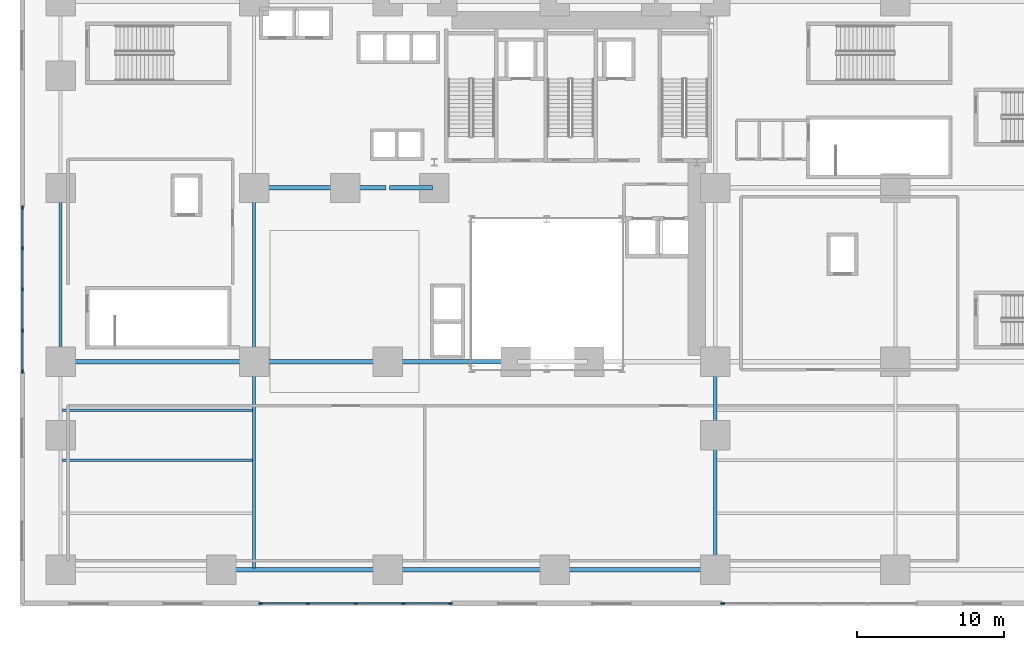
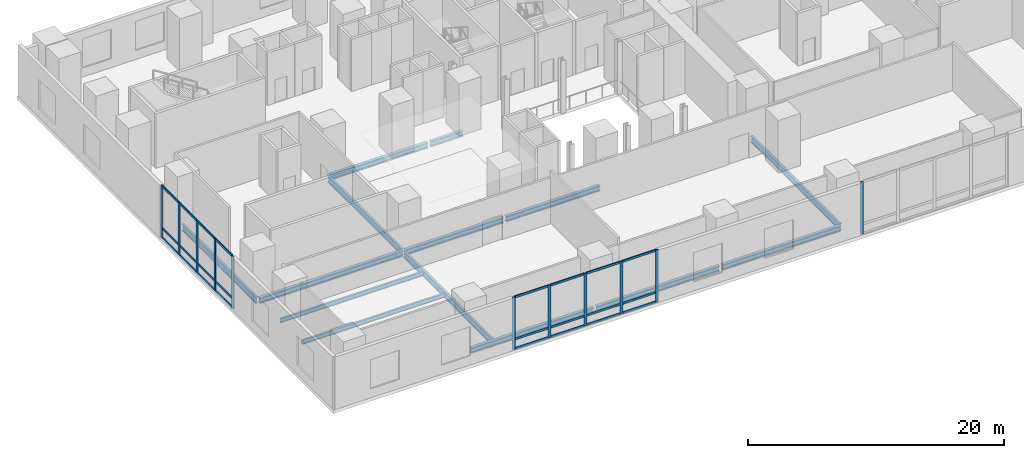
# One storey, part 3 of 15: 35 members, 14 beams, 3 elements without a shape of their own.
"""IFC4 building model written with IfcOpenShell, lengths in metres."""

from ifc_helpers import new_model, si_unit, direction, frame, origin, origin_2d, place, context, subcontext, project, spatial, rectangle, i_section, extrude, source, transform, mapped, material, material_profile, profile_set, type_object, element, aggregate, save


model = new_model("IFC4")

# Units and contexts
model_context = context("Model", 3, precision=1e-05, world=origin(), true_north=direction((0.0, 1.0)))
body_context = subcontext(model_context, "Body", "Model", "MODEL_VIEW")
ifc_project = project(units=[si_unit("LENGTHUNIT", "METRE"), si_unit("AREAUNIT", "SQUARE_METRE"), si_unit("VOLUMEUNIT", "CUBIC_METRE"), si_unit("PLANEANGLEUNIT", "RADIAN"), si_unit("MASSUNIT", "GRAM", prefix="KILO")], contexts=[model_context])

# Site, building, storey
site_placement = place(None, origin())
site = spatial("IfcSite", under=ifc_project, at=site_placement, CompositionType="ELEMENT")
building_placement = place(site_placement, origin())
building = spatial("IfcBuilding", under=site, at=building_placement, Name="Vardaveli Station Tower", CompositionType="ELEMENT")
storey_placement = place(building_placement, frame((0.0, 0.0, 6.0)))
storey = spatial("IfcBuildingStorey", under=building, at=storey_placement, Name="L02", CompositionType="ELEMENT", Elevation=6.0)

# Beams
ifc_material_1 = material(Name="Structural steel S355J2", Category="steel")
ifc_material_profile_1 = material_profile(ifc_material_1, i_section(OverallWidth=0.305908203125, OverallDepth=0.52392578125, WebThickness=0.02099609375, FlangeThickness=0.0400390625, FilletRadius=0.027099609375, at=origin_2d()), Name="HEM 500")
ifc_profile_set_1 = profile_set([ifc_material_profile_1], Name="Structural steel S355J2")
beam_type_1 = type_object("IfcBeamType", Name="BM-HEM500", PredefinedType="BEAM", material=ifc_profile_set_1)
shared_shape_1 = source(origin(), body_context, "Body", "SweptSolid", [
    extrude(i_section(OverallWidth=0.305908203125, OverallDepth=0.52392578125, WebThickness=0.02099609375, FlangeThickness=0.0400390625, FilletRadius=0.027099609375, at=origin_2d()), origin(), (0.0, 0.0, 1.0), 10.669921875),
])
beam_1_placement = place(storey_placement, frame((36.9599609375, 2.949951171875, -0.58203125), z_axis=(1.0, 0.0, 0.0), x_axis=(0.0, 1.0, 0.0)))
element("IfcBeam", 1, at=beam_1_placement, inside=storey, type_object=beam_type_1, Name="PBM-L02-EW0-3", PredefinedType="BEAM", context=body_context, shape_type="MappedRepresentation", body=[
    mapped(shared_shape_1, transform((0.0, 0.0, 0.0), scale=1.0)),
])
shared_shape_2 = source(origin(), body_context, "Body", "SweptSolid", [
    extrude(i_section(OverallWidth=0.305908203125, OverallDepth=0.52392578125, WebThickness=0.02099609375, FlangeThickness=0.0400390625, FilletRadius=0.027099609375, at=origin_2d()), origin(), (0.0, 0.0, 1.0), 11.099853515625),
])
for number, where, z_axis, x_axis, name in (
    (2, (14.280029296875, 2.949951171875, -0.58203125), (1.0, 0.0, 0.0), (0.0, 1.0, 0.0), "PBM-L02-EW0-1"),
    (3, (25.6201171875, 2.949951171875, -0.58203125), (1.0, 0.0, 0.0), (0.0, 1.0, 0.0), "PBM-L02-EW0-2"),
):
    element("IfcBeam", number, at=place(storey_placement, frame(where, z_axis=z_axis, x_axis=x_axis)), inside=storey, type_object=beam_type_1, Name=name, PredefinedType="BEAM", context=body_context, shape_type="MappedRepresentation", body=[
        mapped(shared_shape_2, transform((0.0, 0.0, 0.0), scale=1.0)),
    ])
shared_shape_3 = source(origin(), body_context, "Body", "SweptSolid", [
    extrude(i_section(OverallWidth=0.305908203125, OverallDepth=0.52392578125, WebThickness=0.02099609375, FlangeThickness=0.0400390625, FilletRadius=0.027099609375, at=origin_2d()), origin(), (0.0, 0.0, 1.0), 12.909912109375),
])
beam_2_placement = place(storey_placement, frame((3.3701171875, 17.10009765625, -0.58203125), z_axis=(1.0, 0.0, 0.0), x_axis=(0.0, 1.0, 0.0)))
element("IfcBeam", 4, at=beam_2_placement, inside=storey, type_object=beam_type_1, Name="PBM-L02-EW1-0", PredefinedType="BEAM", context=body_context, shape_type="MappedRepresentation", body=[
    mapped(shared_shape_3, transform((0.0, 0.0, 0.0), scale=1.0)),
])
shared_shape_4 = source(origin(), body_context, "Body", "SweptSolid", [
    extrude(i_section(OverallWidth=0.305908203125, OverallDepth=0.52392578125, WebThickness=0.02099609375, FlangeThickness=0.0400390625, FilletRadius=0.027099609375, at=origin_2d()), origin(), (0.0, 0.0, 1.0), 8.85986328125),
])
for number, where, z_axis, x_axis, name in (
    (5, (16.52001953125, 17.10009765625, -0.58203125), (1.0, 0.0, 0.0), (0.0, 1.0, 0.0), "PBM-L02-EW1-1"),
    (6, (16.52001953125, 28.89990234375, -0.58203125), (1.0, 0.0, 0.0), (0.0, 1.0, 0.0), "PBM-L02-EW2-1"),
):
    element("IfcBeam", number, at=place(storey_placement, frame(where, z_axis=z_axis, x_axis=x_axis)), inside=storey, type_object=beam_type_1, Name=name, PredefinedType="BEAM", context=body_context, shape_type="MappedRepresentation", body=[
        mapped(shared_shape_4, transform((0.0, 0.0, 0.0), scale=1.0)),
    ])
shared_shape_5 = source(origin(), body_context, "Body", "SweptSolid", [
    extrude(i_section(OverallWidth=0.305908203125, OverallDepth=0.52392578125, WebThickness=0.02099609375, FlangeThickness=0.0400390625, FilletRadius=0.027099609375, at=origin_2d()), origin(), (0.0, 0.0, 1.0), 8.4599609375),
])
beam_3_placement = place(storey_placement, frame((25.6201171875, 17.10009765625, -0.58203125), z_axis=(1.0, 0.0, 0.0), x_axis=(0.0, 1.0, 0.0)))
element("IfcBeam", 7, at=beam_3_placement, inside=storey, type_object=beam_type_1, Name="PBM-L02-EW1-2", PredefinedType="BEAM", context=body_context, shape_type="MappedRepresentation", body=[
    mapped(shared_shape_5, transform((0.0, 0.0, 0.0), scale=1.0)),
])
shared_shape_6 = source(origin(), body_context, "Body", "SweptSolid", [
    extrude(i_section(OverallWidth=0.305908203125, OverallDepth=0.52392578125, WebThickness=0.02099609375, FlangeThickness=0.0400390625, FilletRadius=0.027099609375, at=origin_2d()), origin(), (0.0, 0.0, 1.0), 2.909912109375),
])
beam_4_placement = place(storey_placement, frame((25.6201171875, 28.89990234375, -0.58203125), z_axis=(1.0, 0.0, 0.0), x_axis=(0.0, 1.0, 0.0)))
element("IfcBeam", 8, at=beam_4_placement, inside=storey, type_object=beam_type_1, Name="PBM-L02-EW2-2", PredefinedType="BEAM", context=body_context, shape_type="MappedRepresentation", body=[
    mapped(shared_shape_6, transform((0.0, 0.0, 0.0), scale=1.0)),
])
ifc_material_profile_2 = material_profile(ifc_material_1, i_section(OverallWidth=0.219970703125, OverallDepth=0.60009765625, WebThickness=0.011962890625, FlangeThickness=0.01904296875, FilletRadius=0.02392578125, at=origin_2d()), Name="IPE 600")
ifc_profile_set_2 = profile_set([ifc_material_profile_2], Name="Structural steel S355J2")
beam_type_2 = type_object("IfcBeamType", Name="BM-IPE600", PredefinedType="BEAM", material=ifc_profile_set_2)
shared_shape_7 = source(origin(), body_context, "Body", "SweptSolid", [
    extrude(i_section(OverallWidth=0.219970703125, OverallDepth=0.60009765625, WebThickness=0.011962890625, FlangeThickness=0.01904296875, FilletRadius=0.02392578125, at=origin_2d()), origin(), (0.0, 0.0, 1.0), 13.909912109375),
])
for number, where, z_axis, x_axis, name in (
    (9, (16.39990234375, 3.070068359375, -0.6201171875), (0.0, 1.0, 0.0), (-1.0, 0.0, 0.0), "PBM-L02-NS1-0"),
    (10, (47.75, 3.070068359375, -0.6201171875), (0.0, 1.0, 0.0), (-1.0, 0.0, 0.0), "PBM-L02-NS2-0"),
):
    element("IfcBeam", number, at=place(storey_placement, frame(where, z_axis=z_axis, x_axis=x_axis)), inside=storey, type_object=beam_type_2, Name=name, PredefinedType="BEAM", context=body_context, shape_type="MappedRepresentation", body=[
        mapped(shared_shape_7, transform((0.0, 0.0, 0.0), scale=1.0)),
    ])
shared_shape_8 = source(origin(), body_context, "Body", "SweptSolid", [
    extrude(i_section(OverallWidth=0.219970703125, OverallDepth=0.60009765625, WebThickness=0.011962890625, FlangeThickness=0.01904296875, FilletRadius=0.02392578125, at=origin_2d()), origin(), (0.0, 0.0, 1.0), 11.56005859375),
])
for number, where, z_axis, x_axis, name in (
    (11, (3.25, 17.219970703125, -0.6201171875), (0.0, 1.0, 0.0), (-1.0, 0.0, 0.0), "PBM-L02-NS0-1"),
    (12, (16.39990234375, 17.219970703125, -0.6201171875), (0.0, 1.0, 0.0), (-1.0, 0.0, 0.0), "PBM-L02-NS1-1"),
):
    element("IfcBeam", number, at=place(storey_placement, frame(where, z_axis=z_axis, x_axis=x_axis)), inside=storey, type_object=beam_type_2, Name=name, PredefinedType="BEAM", context=body_context, shape_type="MappedRepresentation", body=[
        mapped(shared_shape_8, transform((0.0, 0.0, 0.0), scale=1.0)),
    ])
ifc_material_profile_3 = material_profile(ifc_material_1, i_section(OverallWidth=0.179931640625, OverallDepth=0.39990234375, WebThickness=0.008544921875, FlangeThickness=0.013427734375, FilletRadius=0.02099609375, at=origin_2d()), Name="IPE 400")
ifc_profile_set_3 = profile_set([ifc_material_profile_3], Name="Structural steel S355J2")
beam_type_3 = type_object("IfcBeamType", Name="BM-IPE400", PredefinedType="JOIST", material=ifc_profile_set_3)
shared_shape_9 = source(origin(), body_context, "Body", "SweptSolid", [
    extrude(i_section(OverallWidth=0.179931640625, OverallDepth=0.39990234375, WebThickness=0.008544921875, FlangeThickness=0.013427734375, FilletRadius=0.02099609375, at=origin_2d()), origin(), (0.0, 0.0, 1.0), 12.926025390625),
])
for number, where, z_axis, x_axis, name in (
    (13, (3.362060546875, 10.39990234375, -0.52001953125), (1.0, 0.0, 0.0), (0.0, 1.0, 0.0), "PJ-L02-2-0"),
    (14, (3.362060546875, 13.800048828125, -0.52001953125), (1.0, 0.0, 0.0), (0.0, 1.0, 0.0), "PJ-L02-3-0"),
):
    element("IfcBeam", number, at=place(storey_placement, frame(where, z_axis=z_axis, x_axis=x_axis)), inside=storey, type_object=beam_type_3, Name=name, PredefinedType="JOIST", context=body_context, shape_type="MappedRepresentation", body=[
        mapped(shared_shape_9, transform((0.0, 0.0, 0.0), scale=1.0)),
    ])

# Curtain wall, members
ifc_material_2 = material(Name="Travertine stone and solar-control glass", Category="masonry")
curtain_wall_type = type_object("IfcCurtainWallType", Name="CW-SYS-1", PredefinedType="NOTDEFINED", material=ifc_material_2)
curtain_wall_1_placement = place(storey_placement, origin())
curtain_wall_1 = element("IfcCurtainWall", 15, at=curtain_wall_1_placement, inside=storey, type_object=curtain_wall_type, Name="CW-L02-S2", PredefinedType="NOTDEFINED")
ifc_material_3 = material(Name="Anodised aluminium alloy 6063-T6", Category="aluminium")
ifc_material_profile_4 = material_profile(ifc_material_3, rectangle(XDim=0.094970703125, YDim=0.2099609375, at=origin_2d()), Name="CWT 95x210")
ifc_profile_set_4 = profile_set([ifc_material_profile_4], Name="Anodised aluminium alloy 6063-T6")
member_type_1 = type_object("IfcMemberType", Name="CW-SYS-1-TRAN", PredefinedType="NOTDEFINED", material=ifc_profile_set_4)
shared_shape_10 = source(origin(), body_context, "Body", "SweptSolid", [
    extrude(rectangle(XDim=0.094970703125, YDim=0.2099609375, at=origin_2d()), origin(), (0.0, 0.0, 1.0), 3.107421875),
])
member_1_placement = place(storey_placement, frame((16.89501953125, 0.64990234375, 0.047607421875), z_axis=(1.0, 0.0, 0.0), x_axis=(0.0, 1.0, 0.0)))
member_1 = element("IfcMember", 16, at=member_1_placement, type_object=member_type_1, Name="CW-1 transom 1.1", ObjectType="TRANSOM", PredefinedType="USERDEFINED", context=body_context, shape_type="MappedRepresentation", body=[
    mapped(shared_shape_10, transform((0.0, 0.0, 0.0), scale=1.0)),
])
member_2_placement = place(storey_placement, frame((16.89501953125, 0.64990234375, 0.949951171875), z_axis=(1.0, 0.0, 0.0), x_axis=(0.0, 1.0, 0.0)))
member_2 = element("IfcMember", 17, at=member_2_placement, type_object=member_type_1, Name="CW-1 transom 1.2", ObjectType="TRANSOM", PredefinedType="USERDEFINED", context=body_context, shape_type="MappedRepresentation", body=[
    mapped(shared_shape_10, transform((0.0, 0.0, 0.0), scale=1.0)),
])
member_3_placement = place(storey_placement, frame((16.89501953125, 0.64990234375, 4.952392578125), z_axis=(1.0, 0.0, 0.0), x_axis=(0.0, 1.0, 0.0)))
member_3 = element("IfcMember", 18, at=member_3_placement, type_object=member_type_1, Name="CW-1 transom 1.3", ObjectType="TRANSOM", PredefinedType="USERDEFINED", context=body_context, shape_type="MappedRepresentation", body=[
    mapped(shared_shape_10, transform((0.0, 0.0, 0.0), scale=1.0)),
])
shared_shape_11 = source(origin(), body_context, "Body", "SweptSolid", [
    extrude(rectangle(XDim=0.094970703125, YDim=0.2099609375, at=origin_2d()), origin(), (0.0, 0.0, 1.0), 3.155029296875),
])
member_4_placement = place(storey_placement, frame((20.097412109375, 0.64990234375, 0.047607421875), z_axis=(1.0, 0.0, 0.0), x_axis=(0.0, 1.0, 0.0)))
member_4 = element("IfcMember", 19, at=member_4_placement, type_object=member_type_1, Name="CW-1 transom 2.1", ObjectType="TRANSOM", PredefinedType="USERDEFINED", context=body_context, shape_type="MappedRepresentation", body=[
    mapped(shared_shape_11, transform((0.0, 0.0, 0.0), scale=1.0)),
])
member_5_placement = place(storey_placement, frame((20.097412109375, 0.64990234375, 0.949951171875), z_axis=(1.0, 0.0, 0.0), x_axis=(0.0, 1.0, 0.0)))
member_5 = element("IfcMember", 20, at=member_5_placement, type_object=member_type_1, Name="CW-1 transom 2.2", ObjectType="TRANSOM", PredefinedType="USERDEFINED", context=body_context, shape_type="MappedRepresentation", body=[
    mapped(shared_shape_11, transform((0.0, 0.0, 0.0), scale=1.0)),
])
member_6_placement = place(storey_placement, frame((20.097412109375, 0.64990234375, 4.952392578125), z_axis=(1.0, 0.0, 0.0), x_axis=(0.0, 1.0, 0.0)))
member_6 = element("IfcMember", 21, at=member_6_placement, type_object=member_type_1, Name="CW-1 transom 2.3", ObjectType="TRANSOM", PredefinedType="USERDEFINED", context=body_context, shape_type="MappedRepresentation", body=[
    mapped(shared_shape_11, transform((0.0, 0.0, 0.0), scale=1.0)),
])
member_7_placement = place(storey_placement, frame((23.347412109375, 0.64990234375, 0.047607421875), z_axis=(1.0, 0.0, 0.0), x_axis=(0.0, 1.0, 0.0)))
member_7 = element("IfcMember", 22, at=member_7_placement, type_object=member_type_1, Name="CW-1 transom 3.1", ObjectType="TRANSOM", PredefinedType="USERDEFINED", context=body_context, shape_type="MappedRepresentation", body=[
    mapped(shared_shape_11, transform((0.0, 0.0, 0.0), scale=1.0)),
])
member_8_placement = place(storey_placement, frame((23.347412109375, 0.64990234375, 0.949951171875), z_axis=(1.0, 0.0, 0.0), x_axis=(0.0, 1.0, 0.0)))
member_8 = element("IfcMember", 23, at=member_8_placement, type_object=member_type_1, Name="CW-1 transom 3.2", ObjectType="TRANSOM", PredefinedType="USERDEFINED", context=body_context, shape_type="MappedRepresentation", body=[
    mapped(shared_shape_11, transform((0.0, 0.0, 0.0), scale=1.0)),
])
member_9_placement = place(storey_placement, frame((23.347412109375, 0.64990234375, 4.952392578125), z_axis=(1.0, 0.0, 0.0), x_axis=(0.0, 1.0, 0.0)))
member_9 = element("IfcMember", 24, at=member_9_placement, type_object=member_type_1, Name="CW-1 transom 3.3", ObjectType="TRANSOM", PredefinedType="USERDEFINED", context=body_context, shape_type="MappedRepresentation", body=[
    mapped(shared_shape_11, transform((0.0, 0.0, 0.0), scale=1.0)),
])
shared_shape_12 = source(origin(), body_context, "Body", "SweptSolid", [
    extrude(rectangle(XDim=0.094970703125, YDim=0.2099609375, at=origin_2d()), origin(), (0.0, 0.0, 1.0), 3.107666015625),
])
member_10_placement = place(storey_placement, frame((26.597412109375, 0.64990234375, 0.047607421875), z_axis=(1.0, 0.0, 0.0), x_axis=(0.0, 1.0, 0.0)))
member_10 = element("IfcMember", 25, at=member_10_placement, type_object=member_type_1, Name="CW-1 transom 4.1", ObjectType="TRANSOM", PredefinedType="USERDEFINED", context=body_context, shape_type="MappedRepresentation", body=[
    mapped(shared_shape_12, transform((0.0, 0.0, 0.0), scale=1.0)),
])
member_11_placement = place(storey_placement, frame((26.597412109375, 0.64990234375, 0.949951171875), z_axis=(1.0, 0.0, 0.0), x_axis=(0.0, 1.0, 0.0)))
member_11 = element("IfcMember", 26, at=member_11_placement, type_object=member_type_1, Name="CW-1 transom 4.2", ObjectType="TRANSOM", PredefinedType="USERDEFINED", context=body_context, shape_type="MappedRepresentation", body=[
    mapped(shared_shape_12, transform((0.0, 0.0, 0.0), scale=1.0)),
])
member_12_placement = place(storey_placement, frame((26.597412109375, 0.64990234375, 4.952392578125), z_axis=(1.0, 0.0, 0.0), x_axis=(0.0, 1.0, 0.0)))
member_12 = element("IfcMember", 27, at=member_12_placement, type_object=member_type_1, Name="CW-1 transom 4.3", ObjectType="TRANSOM", PredefinedType="USERDEFINED", context=body_context, shape_type="MappedRepresentation", body=[
    mapped(shared_shape_12, transform((0.0, 0.0, 0.0), scale=1.0)),
])
ifc_material_profile_5 = material_profile(ifc_material_3, rectangle(XDim=0.094970703125, YDim=0.27001953125, at=origin_2d()), Name="CWM 95x270")
ifc_profile_set_5 = profile_set([ifc_material_profile_5], Name="Anodised aluminium alloy 6063-T6")
member_type_2 = type_object("IfcMemberType", Name="CW-SYS-1-MULL", PredefinedType="MULLION", material=ifc_profile_set_5)
shared_shape_13 = source(origin(), body_context, "Body", "SweptSolid", [
    extrude(rectangle(XDim=0.094970703125, YDim=0.27001953125, at=origin_2d()), origin(), (0.0, 0.0, 1.0), 5.0),
])
member_13_placement = place(storey_placement, frame((16.847412109375, 0.64990234375, 0.0), z_axis=(0.0, 0.0, 1.0), x_axis=(0.0, 1.0, 0.0)))
member_13 = element("IfcMember", 28, at=member_13_placement, type_object=member_type_2, Name="CW-1 mullion 1", PredefinedType="MULLION", context=body_context, shape_type="MappedRepresentation", body=[
    mapped(shared_shape_13, transform((0.0, 0.0, 0.0), scale=1.0)),
])
member_14_placement = place(storey_placement, frame((20.050048828125, 0.64990234375, 0.0), z_axis=(0.0, 0.0, 1.0), x_axis=(0.0, 1.0, 0.0)))
member_14 = element("IfcMember", 29, at=member_14_placement, type_object=member_type_2, Name="CW-1 mullion 2", PredefinedType="MULLION", context=body_context, shape_type="MappedRepresentation", body=[
    mapped(shared_shape_13, transform((0.0, 0.0, 0.0), scale=1.0)),
])
member_15_placement = place(storey_placement, frame((23.300048828125, 0.64990234375, 0.0), z_axis=(0.0, 0.0, 1.0), x_axis=(0.0, 1.0, 0.0)))
member_15 = element("IfcMember", 30, at=member_15_placement, type_object=member_type_2, Name="CW-1 mullion 3", PredefinedType="MULLION", context=body_context, shape_type="MappedRepresentation", body=[
    mapped(shared_shape_13, transform((0.0, 0.0, 0.0), scale=1.0)),
])
member_16_placement = place(storey_placement, frame((26.550048828125, 0.64990234375, 0.0), z_axis=(0.0, 0.0, 1.0), x_axis=(0.0, 1.0, 0.0)))
member_16 = element("IfcMember", 31, at=member_16_placement, type_object=member_type_2, Name="CW-1 mullion 4", PredefinedType="MULLION", context=body_context, shape_type="MappedRepresentation", body=[
    mapped(shared_shape_13, transform((0.0, 0.0, 0.0), scale=1.0)),
])
member_17_placement = place(storey_placement, frame((29.75244140625, 0.64990234375, 0.0), z_axis=(0.0, 0.0, 1.0), x_axis=(0.0, 1.0, 0.0)))
member_17 = element("IfcMember", 32, at=member_17_placement, type_object=member_type_2, Name="CW-1 mullion 5", PredefinedType="MULLION", context=body_context, shape_type="MappedRepresentation", body=[
    mapped(shared_shape_13, transform((0.0, 0.0, 0.0), scale=1.0)),
])
aggregate(curtain_wall_1, [member_13, member_14, member_15, member_16, member_17, member_1, member_2, member_3, member_4, member_5, member_6, member_7, member_8, member_9, member_10, member_11, member_12])

# Curtain wall, member
curtain_wall_2_placement = place(storey_placement, origin())
curtain_wall_2 = element("IfcCurtainWall", 33, at=curtain_wall_2_placement, inside=storey, type_object=curtain_wall_type, Name="CW-L02-S4", PredefinedType="NOTDEFINED")
member_18_placement = place(storey_placement, frame((48.24755859375, 0.64990234375, 0.0), z_axis=(0.0, 0.0, 1.0), x_axis=(0.0, 1.0, 0.0)))
member_18 = element("IfcMember", 34, at=member_18_placement, type_object=member_type_2, Name="CW-1 mullion 1", PredefinedType="MULLION", context=body_context, shape_type="MappedRepresentation", body=[
    mapped(shared_shape_13, transform((0.0, 0.0, 0.0), scale=1.0)),
])
aggregate(curtain_wall_2, [member_18])

# Curtain wall, members
curtain_wall_3_placement = place(storey_placement, origin())
curtain_wall_3 = element("IfcCurtainWall", 35, at=curtain_wall_3_placement, inside=storey, type_object=curtain_wall_type, Name="CW-L02-W2", PredefinedType="NOTDEFINED")
member_19_placement = place(storey_placement, frame((0.64990234375, 27.552490234375, 0.0), z_axis=(0.0, 0.0, 1.0), x_axis=(1.0, 0.0, 0.0)))
member_19 = element("IfcMember", 36, at=member_19_placement, type_object=member_type_2, Name="CW-1 mullion 1", PredefinedType="MULLION", context=body_context, shape_type="MappedRepresentation", body=[
    mapped(shared_shape_13, transform((0.0, 0.0, 0.0), scale=1.0)),
])
member_20_placement = place(storey_placement, frame((0.64990234375, 24.800048828125, 0.0), z_axis=(0.0, 0.0, 1.0), x_axis=(1.0, 0.0, 0.0)))
member_20 = element("IfcMember", 37, at=member_20_placement, type_object=member_type_2, Name="CW-1 mullion 2", PredefinedType="MULLION", context=body_context, shape_type="MappedRepresentation", body=[
    mapped(shared_shape_13, transform((0.0, 0.0, 0.0), scale=1.0)),
])
member_21_placement = place(storey_placement, frame((0.64990234375, 22.0, 0.0), z_axis=(0.0, 0.0, 1.0), x_axis=(1.0, 0.0, 0.0)))
member_21 = element("IfcMember", 38, at=member_21_placement, type_object=member_type_2, Name="CW-1 mullion 3", PredefinedType="MULLION", context=body_context, shape_type="MappedRepresentation", body=[
    mapped(shared_shape_13, transform((0.0, 0.0, 0.0), scale=1.0)),
])
member_22_placement = place(storey_placement, frame((0.64990234375, 19.199951171875, 0.0), z_axis=(0.0, 0.0, 1.0), x_axis=(1.0, 0.0, 0.0)))
member_22 = element("IfcMember", 39, at=member_22_placement, type_object=member_type_2, Name="CW-1 mullion 4", PredefinedType="MULLION", context=body_context, shape_type="MappedRepresentation", body=[
    mapped(shared_shape_13, transform((0.0, 0.0, 0.0), scale=1.0)),
])
member_23_placement = place(storey_placement, frame((0.64990234375, 16.447509765625, 0.0), z_axis=(0.0, 0.0, 1.0), x_axis=(1.0, 0.0, 0.0)))
member_23 = element("IfcMember", 40, at=member_23_placement, type_object=member_type_2, Name="CW-1 mullion 5", PredefinedType="MULLION", context=body_context, shape_type="MappedRepresentation", body=[
    mapped(shared_shape_13, transform((0.0, 0.0, 0.0), scale=1.0)),
])
shared_shape_14 = source(origin(), body_context, "Body", "SweptSolid", [
    extrude(rectangle(XDim=0.094970703125, YDim=0.2099609375, at=origin_2d()), origin(), (0.0, 0.0, 1.0), 2.657470703125),
])
member_24_placement = place(storey_placement, frame((0.64990234375, 27.5048828125, 0.047607421875), z_axis=(0.0, -1.0, 0.0), x_axis=(1.0, 0.0, 0.0)))
member_24 = element("IfcMember", 41, at=member_24_placement, type_object=member_type_1, Name="CW-1 transom 1.1", ObjectType="TRANSOM", PredefinedType="USERDEFINED", context=body_context, shape_type="MappedRepresentation", body=[
    mapped(shared_shape_14, transform((0.0, 0.0, 0.0), scale=1.0)),
])
member_25_placement = place(storey_placement, frame((0.64990234375, 27.5048828125, 0.949951171875), z_axis=(0.0, -1.0, 0.0), x_axis=(1.0, 0.0, 0.0)))
member_25 = element("IfcMember", 42, at=member_25_placement, type_object=member_type_1, Name="CW-1 transom 1.2", ObjectType="TRANSOM", PredefinedType="USERDEFINED", context=body_context, shape_type="MappedRepresentation", body=[
    mapped(shared_shape_14, transform((0.0, 0.0, 0.0), scale=1.0)),
])
member_26_placement = place(storey_placement, frame((0.64990234375, 27.5048828125, 4.952392578125), z_axis=(0.0, -1.0, 0.0), x_axis=(1.0, 0.0, 0.0)))
member_26 = element("IfcMember", 43, at=member_26_placement, type_object=member_type_1, Name="CW-1 transom 1.3", ObjectType="TRANSOM", PredefinedType="USERDEFINED", context=body_context, shape_type="MappedRepresentation", body=[
    mapped(shared_shape_14, transform((0.0, 0.0, 0.0), scale=1.0)),
])
member_27_placement = place(storey_placement, frame((0.64990234375, 19.152587890625, 0.047607421875), z_axis=(0.0, -1.0, 0.0), x_axis=(1.0, 0.0, 0.0)))
member_27 = element("IfcMember", 44, at=member_27_placement, type_object=member_type_1, Name="CW-1 transom 4.1", ObjectType="TRANSOM", PredefinedType="USERDEFINED", context=body_context, shape_type="MappedRepresentation", body=[
    mapped(shared_shape_14, transform((0.0, 0.0, 0.0), scale=1.0)),
])
member_28_placement = place(storey_placement, frame((0.64990234375, 19.152587890625, 0.949951171875), z_axis=(0.0, -1.0, 0.0), x_axis=(1.0, 0.0, 0.0)))
member_28 = element("IfcMember", 45, at=member_28_placement, type_object=member_type_1, Name="CW-1 transom 4.2", ObjectType="TRANSOM", PredefinedType="USERDEFINED", context=body_context, shape_type="MappedRepresentation", body=[
    mapped(shared_shape_14, transform((0.0, 0.0, 0.0), scale=1.0)),
])
member_29_placement = place(storey_placement, frame((0.64990234375, 19.152587890625, 4.952392578125), z_axis=(0.0, -1.0, 0.0), x_axis=(1.0, 0.0, 0.0)))
member_29 = element("IfcMember", 46, at=member_29_placement, type_object=member_type_1, Name="CW-1 transom 4.3", ObjectType="TRANSOM", PredefinedType="USERDEFINED", context=body_context, shape_type="MappedRepresentation", body=[
    mapped(shared_shape_14, transform((0.0, 0.0, 0.0), scale=1.0)),
])
shared_shape_15 = source(origin(), body_context, "Body", "SweptSolid", [
    extrude(rectangle(XDim=0.094970703125, YDim=0.2099609375, at=origin_2d()), origin(), (0.0, 0.0, 1.0), 2.704833984375),
])
member_30_placement = place(storey_placement, frame((0.64990234375, 24.75244140625, 0.047607421875), z_axis=(0.0, -1.0, 0.0), x_axis=(1.0, 0.0, 0.0)))
member_30 = element("IfcMember", 47, at=member_30_placement, type_object=member_type_1, Name="CW-1 transom 2.1", ObjectType="TRANSOM", PredefinedType="USERDEFINED", context=body_context, shape_type="MappedRepresentation", body=[
    mapped(shared_shape_15, transform((0.0, 0.0, 0.0), scale=1.0)),
])
member_31_placement = place(storey_placement, frame((0.64990234375, 24.75244140625, 0.949951171875), z_axis=(0.0, -1.0, 0.0), x_axis=(1.0, 0.0, 0.0)))
member_31 = element("IfcMember", 48, at=member_31_placement, type_object=member_type_1, Name="CW-1 transom 2.2", ObjectType="TRANSOM", PredefinedType="USERDEFINED", context=body_context, shape_type="MappedRepresentation", body=[
    mapped(shared_shape_15, transform((0.0, 0.0, 0.0), scale=1.0)),
])
member_32_placement = place(storey_placement, frame((0.64990234375, 24.75244140625, 4.952392578125), z_axis=(0.0, -1.0, 0.0), x_axis=(1.0, 0.0, 0.0)))
member_32 = element("IfcMember", 49, at=member_32_placement, type_object=member_type_1, Name="CW-1 transom 2.3", ObjectType="TRANSOM", PredefinedType="USERDEFINED", context=body_context, shape_type="MappedRepresentation", body=[
    mapped(shared_shape_15, transform((0.0, 0.0, 0.0), scale=1.0)),
])
member_33_placement = place(storey_placement, frame((0.64990234375, 21.952392578125, 0.047607421875), z_axis=(0.0, -1.0, 0.0), x_axis=(1.0, 0.0, 0.0)))
member_33 = element("IfcMember", 50, at=member_33_placement, type_object=member_type_1, Name="CW-1 transom 3.1", ObjectType="TRANSOM", PredefinedType="USERDEFINED", context=body_context, shape_type="MappedRepresentation", body=[
    mapped(shared_shape_15, transform((0.0, 0.0, 0.0), scale=1.0)),
])
member_34_placement = place(storey_placement, frame((0.64990234375, 21.952392578125, 0.949951171875), z_axis=(0.0, -1.0, 0.0), x_axis=(1.0, 0.0, 0.0)))
member_34 = element("IfcMember", 51, at=member_34_placement, type_object=member_type_1, Name="CW-1 transom 3.2", ObjectType="TRANSOM", PredefinedType="USERDEFINED", context=body_context, shape_type="MappedRepresentation", body=[
    mapped(shared_shape_15, transform((0.0, 0.0, 0.0), scale=1.0)),
])
member_35_placement = place(storey_placement, frame((0.64990234375, 21.952392578125, 4.952392578125), z_axis=(0.0, -1.0, 0.0), x_axis=(1.0, 0.0, 0.0)))
member_35 = element("IfcMember", 52, at=member_35_placement, type_object=member_type_1, Name="CW-1 transom 3.3", ObjectType="TRANSOM", PredefinedType="USERDEFINED", context=body_context, shape_type="MappedRepresentation", body=[
    mapped(shared_shape_15, transform((0.0, 0.0, 0.0), scale=1.0)),
])
aggregate(curtain_wall_3, [member_19, member_20, member_21, member_22, member_23, member_24, member_25, member_26, member_30, member_31, member_32, member_33, member_34, member_35, member_27, member_28, member_29])

save(model, "model.ifc")
